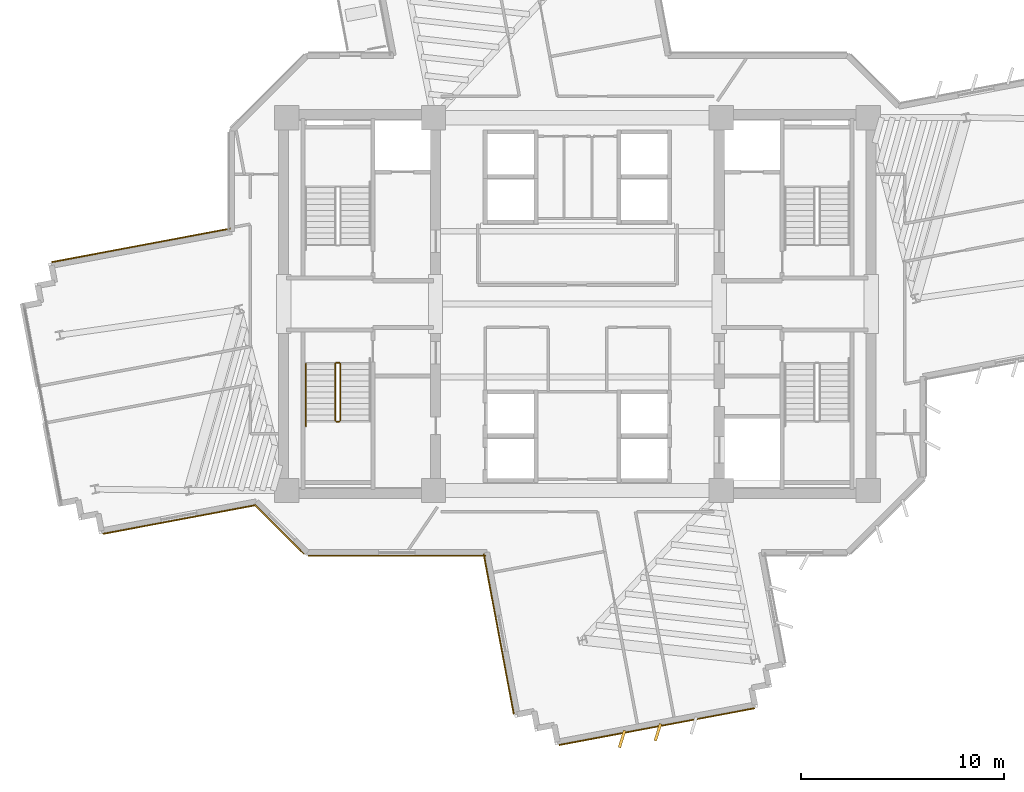
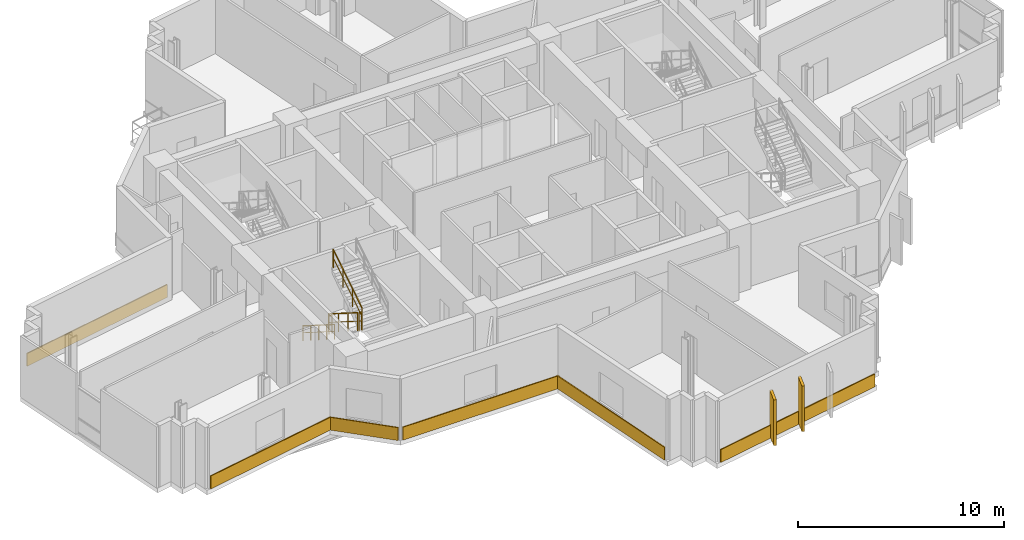
# One storey, part 13 of 16: 8 coverings, 5 railings.
"""IFC4 building model written with IfcOpenShell, lengths in metres."""

import ifcopenshell
import ifcopenshell.guid

model = None  # the IFC model being written
_history = None  # IfcOwnerHistory: only IFC2X3 demands one
_inside = {}  # id of a spatial element -> (the spatial element, [elements in it])
_under = {}  # id of a project, library or spatial element -> (it, [spatial elements below it])
_declared = {}  # id of a project -> (the project, [libraries it declares])
_typed = {}  # id of a type object -> (the type object, [elements of that type])
_made_of = {}  # id of a material, layer set ... -> (it, [elements and type objects made of it])


def new_model(schema):
    """Start an empty IFC model of exactly this schema.

    Asked for "IFC4X3", IfcOpenShell would pick the latest addendum, in which some entities
    have other attributes; the version numbers below select the first issue.
    IFC2X3 requires an IfcOwnerHistory on every rooted entity: one is made here for all.
    """
    global model, _history
    if schema == "IFC4X3":
        model = ifcopenshell.file(schema_version=(4, 3, 0, 0))
    else:
        model = ifcopenshell.file(schema=schema)
    _inside.clear()
    _under.clear()
    _declared.clear()
    _typed.clear()
    _made_of.clear()
    _history = None
    if model.schema == "IFC2X3":
        org = make("IfcOrganization", Name="unknown")
        user = make(
            "IfcPersonAndOrganization",
            ThePerson=make("IfcPerson", FamilyName="unknown"),
            TheOrganization=org,
        )
        app = make(
            "IfcApplication",
            ApplicationDeveloper=org,
            Version="unknown",
            ApplicationFullName="unknown",
            ApplicationIdentifier="unknown",
        )
        _history = make(
            "IfcOwnerHistory",
            OwningUser=user,
            OwningApplication=app,
            ChangeAction="ADDED",
            CreationDate=0,
        )
    return model


def make(cls, **values):
    """One entity of the class cls with the attributes given. An attribute that is None is left unset."""
    return model.create_entity(
        cls, **{name: value for name, value in values.items() if value is not None}
    )


def rooted(cls, **values):
    """An entity with a GlobalId (a new one), such as an element, a storey or a relation."""
    return make(cls, GlobalId=ifcopenshell.guid.new(), OwnerHistory=_history, **values)


def si_unit(unit_type, name, prefix=None):
    """IfcSIUnit, for example si_unit("LENGTHUNIT", "METRE", prefix="MILLI")."""
    return make("IfcSIUnit", UnitType=unit_type, Prefix=prefix, Name=name)


def assignment(units):
    """IfcUnitAssignment: the units of a project."""
    return None if units is None else make("IfcUnitAssignment", Units=units)


def point(xyz):
    """IfcCartesianPoint."""
    return None if xyz is None else make("IfcCartesianPoint", Coordinates=xyz)


def direction(xyz):
    """IfcDirection."""
    return None if xyz is None else make("IfcDirection", DirectionRatios=xyz)


def frame(location, z_axis=None, x_axis=None):
    """IfcAxis2Placement3D, a coordinate frame: its origin and axes. An axis left out is left unset."""
    return make(
        "IfcAxis2Placement3D",
        Location=point(location),
        Axis=direction(z_axis),
        RefDirection=direction(x_axis),
    )


def frame_2d(location, x_axis=None):
    """IfcAxis2Placement2D, a coordinate frame in the plane: its origin and x axis."""
    return make(
        "IfcAxis2Placement2D", Location=point(location), RefDirection=direction(x_axis)
    )


def origin():
    """The frame at (0, 0, 0) with its axes left unset."""
    return frame((0.0, 0.0, 0.0))


def origin_2d():
    """The frame at (0, 0) in the plane with its x axis left unset."""
    return frame_2d((0.0, 0.0))


def place(relative_to, where):
    """IfcLocalPlacement: puts the frame where relative to a parent placement (None: the world)."""
    return make(
        "IfcLocalPlacement", PlacementRelTo=relative_to, RelativePlacement=where
    )


def context(
    kind, dimensions, precision=None, world=None, true_north=None, identifier=None
):
    """IfcGeometricRepresentationContext, for example the 3D "Model" context."""
    return make(
        "IfcGeometricRepresentationContext",
        ContextIdentifier=identifier,
        ContextType=kind,
        CoordinateSpaceDimension=dimensions,
        Precision=precision,
        WorldCoordinateSystem=world,
        TrueNorth=true_north,
    )


def subcontext(parent, identifier, kind, view, scale=None):
    """IfcGeometricRepresentationSubContext, for example "Body" below "Model"."""
    return make(
        "IfcGeometricRepresentationSubContext",
        ContextIdentifier=identifier,
        ContextType=kind,
        ParentContext=parent,
        TargetScale=scale,
        TargetView=view,
    )


def project(units=None, contexts=None):
    """IfcProject with its units and contexts."""
    return rooted(
        "IfcProject",
        Name="project",
        RepresentationContexts=contexts,
        UnitsInContext=assignment(units),
    )


def spatial(cls, under=None, at=None, **own):
    """A site, building, storey or space (cls), placed at a placement, below another one or the project."""
    s = rooted(cls, ObjectPlacement=at, **own)
    if under is not None:
        _under.setdefault(under.id(), (under, []))[1].append(s)
    return s


def profile(cls, at=None, kind="AREA", **sizes):
    """A parametric profile (cls). Its sizes go by their IFC names, for example OverallWidth=200.0."""
    return make(cls, ProfileType=kind, Position=at, **sizes)


def rectangle(**sizes):
    """IfcRectangleProfileDef."""
    return profile("IfcRectangleProfileDef", **sizes)


def extrude(swept, where, along, depth):
    """IfcExtrudedAreaSolid: the profile swept, set in the frame where, extruded along a direction by depth."""
    return make(
        "IfcExtrudedAreaSolid",
        SweptArea=swept,
        Position=where,
        ExtrudedDirection=direction(along),
        Depth=depth,
    )


def shape(context_of_items, identifier, shape_type, items):
    """IfcShapeRepresentation: the items that make up one representation, for example the "Body"."""
    return make(
        "IfcShapeRepresentation",
        ContextOfItems=context_of_items,
        RepresentationIdentifier=identifier,
        RepresentationType=shape_type,
        Items=items,
    )


def source(mapping_origin, context_of_items, identifier, shape_type, items):
    """IfcRepresentationMap: a shape defined once, which mapped items show again and again."""
    return make(
        "IfcRepresentationMap",
        MappingOrigin=mapping_origin,
        MappedRepresentation=shape(context_of_items, identifier, shape_type, items),
    )


def transform(
    local_origin,
    x_axis=None,
    y_axis=None,
    z_axis=None,
    scale=None,
    scale2=None,
    scale3=None,
    uniform=True,
):
    """IfcCartesianTransformationOperator3D, or its non-uniform kind. x_axis, y_axis, z_axis: its Axis1, 2, 3."""
    if uniform:
        return make(
            "IfcCartesianTransformationOperator3D",
            Axis1=direction(x_axis),
            Axis2=direction(y_axis),
            LocalOrigin=point(local_origin),
            Scale=scale,
            Axis3=direction(z_axis),
        )
    return make(
        "IfcCartesianTransformationOperator3DnonUniform",
        Axis1=direction(x_axis),
        Axis2=direction(y_axis),
        LocalOrigin=point(local_origin),
        Scale=scale,
        Axis3=direction(z_axis),
        Scale2=scale2,
        Scale3=scale3,
    )


def mapped(mapping_source, mapping_target):
    """IfcMappedItem: shows the shape of a source again, moved by a transform."""
    return make(
        "IfcMappedItem", MappingSource=mapping_source, MappingTarget=mapping_target
    )


def material(Name=None, Category=None):
    """IfcMaterial."""
    return make("IfcMaterial", Name=Name, Category=Category)


def layer(
    of_material, thickness, ventilated=None, Name=None, Category=None, Priority=None
):
    """IfcMaterialLayer: one layer of a wall or slab, of a material (None: an air gap)."""
    return make(
        "IfcMaterialLayer",
        Material=of_material,
        LayerThickness=thickness,
        IsVentilated=ventilated,
        Name=Name,
        Category=Category,
        Priority=Priority,
    )


def layer_set(layers, Name=None):
    """IfcMaterialLayerSet."""
    return make("IfcMaterialLayerSet", MaterialLayers=layers, LayerSetName=Name)


def made_of(thing, what):
    """Note that an element or type object is made of a material, layer set ...; save() writes the relation."""
    if what is not None:
        _made_of.setdefault(what.id(), (what, []))[1].append(thing)
    return thing


def type_object(cls, material=None, **own):
    """A type object (cls), such as IfcWallType, which elements share."""
    return made_of(rooted(cls, **own), material)


def element(
    cls,
    number,
    at=None,
    inside=None,
    cuts=None,
    type_object=None,
    material=None,
    context=None,
    identifier="Body",
    shape_type=None,
    held_by="IfcProductDefinitionShape",
    body=None,
    shapes=None,
    **own,
):
    """One element of the class cls, such as IfcWall. Its Tag is "e" and its number.

    at: its placement. inside: the storey or other place that contains it. cuts: it is an
    opening in that element (IfcRelVoidsElement). A single representation is given by context,
    identifier, shape_type and body (its items); several are given by shapes. held_by: the class
    of the entity that holds the representations. save() writes the other relations.
    """
    e = rooted(cls, Tag="e%d" % number, ObjectPlacement=at, **own)
    if body is not None:
        shapes = [shape(context, identifier, shape_type, body)]
    if shapes is not None:
        e.Representation = make(held_by, Representations=shapes)
    if inside is not None:
        _inside.setdefault(inside.id(), (inside, []))[1].append(e)
    if cuts is not None:
        rooted(
            "IfcRelVoidsElement", RelatingBuildingElement=cuts, RelatedOpeningElement=e
        )
    if type_object is not None:
        _typed.setdefault(type_object.id(), (type_object, []))[1].append(e)
    return made_of(e, material)


def aggregate(whole, parts):
    """IfcRelAggregates: a whole, such as a stair, and the parts it consists of."""
    return rooted("IfcRelAggregates", RelatingObject=whole, RelatedObjects=parts)


def save(model, path):
    """Write the relations noted so far, then the file.

    IfcRelAggregates (storeys below a building ...), IfcRelContainedInSpatialStructure (elements
    in a storey), IfcRelDefinesByType, IfcRelAssociatesMaterial and IfcRelDeclares: one each for
    every whole, place, type object, material and project.
    """
    for whole, parts in _under.values():
        aggregate(whole, parts)
    for where, things in _inside.values():
        rooted(
            "IfcRelContainedInSpatialStructure",
            RelatedElements=things,
            RelatingStructure=where,
        )
    for kind, things in _typed.values():
        rooted("IfcRelDefinesByType", RelatedObjects=things, RelatingType=kind)
    for what, things in _made_of.values():
        rooted("IfcRelAssociatesMaterial", RelatedObjects=things, RelatingMaterial=what)
    for by, libraries in _declared.values():
        rooted("IfcRelDeclares", RelatingContext=by, RelatedDefinitions=libraries)
    model.write(path)


model = new_model("IFC4")

# Units and contexts
model_context = context("Model", 3, precision=1e-05, world=origin(), true_north=direction((0.0, 1.0)))
body_context = subcontext(model_context, "Body", "Model", "MODEL_VIEW")
ifc_project = project(units=[si_unit("LENGTHUNIT", "METRE"), si_unit("AREAUNIT", "SQUARE_METRE"), si_unit("VOLUMEUNIT", "CUBIC_METRE"), si_unit("PLANEANGLEUNIT", "RADIAN"), si_unit("MASSUNIT", "GRAM", prefix="KILO")], contexts=[model_context])

# Site, building, storey
site_placement = place(None, origin())
site = spatial("IfcSite", under=ifc_project, at=site_placement, CompositionType="ELEMENT")
building_placement = place(site_placement, origin())
building = spatial("IfcBuilding", under=site, at=building_placement, Name="Zahravan Cultural Tower", CompositionType="ELEMENT")
storey_placement = place(building_placement, frame((0.0, 0.0, 151.199951171875)))
storey = spatial("IfcBuildingStorey", under=building, at=storey_placement, Name="L34", CompositionType="ELEMENT", Elevation=151.199951171875)

# Railings
ifc_material_1 = material(Name="Steel ASTM A572 Grade 50", Category="steel")
railing_type_1 = type_object("IfcRailingType", Name="RL-STAIR-GRD1150", PredefinedType="BALUSTRADE", material=ifc_material_1)
railing_1_placement = place(storey_placement, frame((24.050048828125, 24.050048828125, 0.17724609375)))
element("IfcRailing", 1, at=railing_1_placement, inside=storey, type_object=railing_type_1, Name="L34 ST-W2 stair guard 1", PredefinedType="BALUSTRADE", context=body_context, shape_type="SweptSolid", body=[
    extrude(rectangle(XDim=0.05, YDim=0.05, at=origin_2d()), frame((0.0, 0.0, 1.0751953125), z_axis=(0.0, -0.844908973607, 0.534910110503), x_axis=(1.0, 0.0, 0.0)), (0.0, 0.0, 1.0), 3.31396484375),
    extrude(rectangle(XDim=0.032, YDim=0.032, at=origin_2d()), frame((0.0, 0.0, 0.572021484375), z_axis=(0.0, -0.844908973607, 0.534910110503), x_axis=(1.0, 0.0, 0.0)), (0.0, 0.0, 1.0), 3.31396484375),
    extrude(rectangle(XDim=0.04, YDim=0.04, at=origin_2d()), origin(), (0.0, 0.0, 1.0), 1.10009765625),
    extrude(rectangle(XDim=0.04, YDim=0.04, at=origin_2d()), frame((0.0, -0.933349609375, 0.5908203125)), (0.0, 0.0, 1.0), 1.10009765625),
    extrude(rectangle(XDim=0.04, YDim=0.04, at=origin_2d()), frame((0.0, -1.86669921875, 1.181884765625)), (0.0, 0.0, 1.0), 1.10009765625),
    extrude(rectangle(XDim=0.04, YDim=0.04, at=origin_2d()), frame((0.0, -2.800048828125, 1.772705078125)), (0.0, 0.0, 1.0), 1.10009765625),
])
railing_2_placement = place(storey_placement, frame((24.10009765625, 21.199951171875, 1.949951171875)))
element("IfcRailing", 2, at=railing_2_placement, inside=storey, type_object=railing_type_1, Name="L34 ST-W2 stair guard 2", PredefinedType="BALUSTRADE", context=body_context, shape_type="SweptSolid", body=[
    extrude(rectangle(XDim=0.05, YDim=0.05, at=origin_2d()), frame((0.0, 0.0, 1.0751953125), z_axis=(1.0, 0.0, 0.0), x_axis=(0.0, 1.0, 0.0)), (0.0, 0.0, 1.0), 0.14990234375),
    extrude(rectangle(XDim=0.032, YDim=0.032, at=origin_2d()), frame((0.0, 0.0, 0.572021484375), z_axis=(1.0, 0.0, 0.0), x_axis=(0.0, 1.0, 0.0)), (0.0, 0.0, 1.0), 0.14990234375),
    extrude(rectangle(XDim=0.04, YDim=0.04, at=origin_2d()), origin(), (0.0, 0.0, 1.0), 1.10009765625),
    extrude(rectangle(XDim=0.04, YDim=0.04, at=origin_2d()), frame((0.14990234375, 0.0, 0.0)), (0.0, 0.0, 1.0), 1.10009765625),
])
railing_3_placement = place(storey_placement, frame((24.300048828125, 21.25, 2.12744140625)))
element("IfcRailing", 3, at=railing_3_placement, inside=storey, type_object=railing_type_1, Name="L34 ST-W2 stair guard 3", PredefinedType="BALUSTRADE", context=body_context, shape_type="SweptSolid", body=[
    extrude(rectangle(XDim=0.05, YDim=0.05, at=origin_2d()), frame((0.0, 0.0, 1.0751953125), z_axis=(0.0, 0.844908973607, 0.534910110503), x_axis=(-1.0, 0.0, 0.0)), (0.0, 0.0, 1.0), 3.31396484375),
    extrude(rectangle(XDim=0.032, YDim=0.032, at=origin_2d()), frame((0.0, 0.0, 0.572021484375), z_axis=(0.0, 0.844908973607, 0.534910110503), x_axis=(-1.0, 0.0, 0.0)), (0.0, 0.0, 1.0), 3.31396484375),
    extrude(rectangle(XDim=0.04, YDim=0.04, at=origin_2d()), origin(), (0.0, 0.0, 1.0), 1.10009765625),
    extrude(rectangle(XDim=0.04, YDim=0.04, at=origin_2d()), frame((0.0, 0.933349609375, 0.5908203125)), (0.0, 0.0, 1.0), 1.10009765625),
    extrude(rectangle(XDim=0.04, YDim=0.04, at=origin_2d()), frame((0.0, 1.86669921875, 1.181884765625)), (0.0, 0.0, 1.0), 1.10009765625),
    extrude(rectangle(XDim=0.04, YDim=0.04, at=origin_2d()), frame((0.0, 2.800048828125, 1.772705078125)), (0.0, 0.0, 1.0), 1.10009765625),
])
railing_4_placement = place(storey_placement, frame((24.10009765625, 24.10009765625, 0.0)))
element("IfcRailing", 4, at=railing_4_placement, inside=storey, type_object=railing_type_1, Name="L34 ST-W2 stair guard 4", PredefinedType="BALUSTRADE", context=body_context, shape_type="SweptSolid", body=[
    extrude(rectangle(XDim=0.05, YDim=0.05, at=origin_2d()), frame((0.0, 0.0, 1.0751953125), z_axis=(1.0, 0.0, 0.0), x_axis=(0.0, 1.0, 0.0)), (0.0, 0.0, 1.0), 0.14990234375),
    extrude(rectangle(XDim=0.032, YDim=0.032, at=origin_2d()), frame((0.0, 0.0, 0.572021484375), z_axis=(1.0, 0.0, 0.0), x_axis=(0.0, 1.0, 0.0)), (0.0, 0.0, 1.0), 0.14990234375),
    extrude(rectangle(XDim=0.04, YDim=0.04, at=origin_2d()), origin(), (0.0, 0.0, 1.0), 1.10009765625),
    extrude(rectangle(XDim=0.04, YDim=0.04, at=origin_2d()), frame((0.14990234375, 0.0, 0.0)), (0.0, 0.0, 1.0), 1.10009765625),
])
railing_type_2 = type_object("IfcRailingType", Name="RL-STAIR-HR900", PredefinedType="HANDRAIL", material=ifc_material_1)
railing_5_placement = place(storey_placement, frame((22.60009765625, 24.050048828125, 0.17724609375)))
element("IfcRailing", 5, at=railing_5_placement, inside=storey, type_object=railing_type_2, Name="L34 ST-W2 stair handrail 1", PredefinedType="HANDRAIL", context=body_context, shape_type="SweptSolid", body=[
    extrude(rectangle(XDim=0.05, YDim=0.05, at=origin_2d()), frame((0.0, 0.0, 0.875), z_axis=(0.0, -0.844883648757, 0.534950109882), x_axis=(1.0, 0.0, 0.0)), (0.0, 0.0, 1.0), 3.6455078125),
    extrude(rectangle(XDim=0.032, YDim=0.032, at=origin_2d()), frame((0.0, 0.0, 0.468017578125), z_axis=(0.0, -0.844883648757, 0.534950109882), x_axis=(1.0, 0.0, 0.0)), (0.0, 0.0, 1.0), 3.6455078125),
    extrude(rectangle(XDim=0.04, YDim=0.04, at=origin_2d()), origin(), (0.0, 0.0, 1.0), 0.89990234375),
    extrude(rectangle(XDim=0.04, YDim=0.04, at=origin_2d()), frame((0.0, -0.77001953125, 0.487548828125)), (0.0, 0.0, 1.0), 0.89990234375),
    extrude(rectangle(XDim=0.04, YDim=0.04, at=origin_2d()), frame((0.0, -1.5400390625, 0.97509765625)), (0.0, 0.0, 1.0), 0.89990234375),
    extrude(rectangle(XDim=0.04, YDim=0.04, at=origin_2d()), frame((0.0, -2.31005859375, 1.462646484375)), (0.0, 0.0, 1.0), 0.89990234375),
    extrude(rectangle(XDim=0.04, YDim=0.04, at=origin_2d()), frame((0.0, -3.080078125, 1.9501953125)), (0.0, 0.0, 1.0), 0.89990234375),
])

# Coverings
ifc_material_2 = material(Name="Terracotta ceramic cladding", Category="masonry")
ifc_layer = layer(ifc_material_2, 0.06005859375)
ifc_layer_set = layer_set([ifc_layer], Name="Terracotta ceramic cladding")
covering_type = type_object("IfcCoveringType", Name="COV-CLAD-TC60", PredefinedType="CLADDING", material=ifc_layer_set)
shared_shape_1 = source(origin(), body_context, "Body", "SweptSolid", [
    extrude(rectangle(XDim=9.820068359375, YDim=0.06005859375, at=origin_2d()), origin(), (0.0, 0.0, 1.0), 0.760009765625),
])
covering_1_placement = place(storey_placement, frame((39.9189453125, 6.139892578125, 0.02001953125), z_axis=(0.0, 0.0, 1.0), x_axis=(-0.982806687355, -0.184637524056, 0.0)))
element("IfcCovering", 6, at=covering_1_placement, inside=storey, type_object=covering_type, Name="L34 Terracotta Spandrel Cladding 19", PredefinedType="CLADDING", context=body_context, shape_type="MappedRepresentation", body=[
    mapped(shared_shape_1, transform((0.0, 0.0, 0.0), x_axis=(1.0, 0.0, 0.0), y_axis=(0.0, 1.0, 0.0), z_axis=(0.0, 0.0, 1.0), scale=1.0)),
])
shared_shape_2 = source(origin(), body_context, "Body", "SweptSolid", [
    extrude(rectangle(XDim=0.8798828125, YDim=0.139892578125, at=origin_2d()), origin(), (0.0, 0.0, 1.0), 2.699951171875),
])
for number, where, z_axis, x_axis, name in (
    (7, (39.9716796875, 5.859619140625, 0.05029296875), (0.0, 0.0, 1.0), (-0.298374534012, -0.954448865814, 0.0), "L34 Herringbone Terracotta Fin 15"),
    (8, (38.202392578125, 5.52734375, 0.05029296875), (0.0, 0.0, 1.0), (-0.298374534012, -0.954448865814, 0.0), "L34 Herringbone Terracotta Fin 16"),
):
    element("IfcCovering", number, at=place(storey_placement, frame(where, z_axis=z_axis, x_axis=x_axis)), inside=storey, type_object=covering_type, Name=name, PredefinedType="CLADDING", context=body_context, shape_type="MappedRepresentation", body=[
        mapped(shared_shape_2, transform((0.0, 0.0, 0.0), x_axis=(1.0, 0.0, 0.0), y_axis=(0.0, 1.0, 0.0), z_axis=(0.0, 0.0, 1.0), scale=1.0)),
    ])
shared_shape_3 = source(origin(), body_context, "Body", "SweptSolid", [
    extrude(rectangle(XDim=7.683349609375, YDim=0.06005859375, at=origin_2d()), origin(), (0.0, 0.0, 1.0), 0.760009765625),
])
covering_2_placement = place(storey_placement, frame((16.357666015625, 16.365478515625, 0.02001953125), z_axis=(0.0, 0.0, 1.0), x_axis=(-0.982806687355, -0.184637524056, 0.0)))
element("IfcCovering", 9, at=covering_2_placement, inside=storey, type_object=covering_type, Name="L34 Terracotta Spandrel Cladding 27", PredefinedType="CLADDING", context=body_context, shape_type="MappedRepresentation", body=[
    mapped(shared_shape_3, transform((0.0, 0.0, 0.0), x_axis=(1.0, 0.0, 0.0), y_axis=(0.0, 1.0, 0.0), z_axis=(0.0, 0.0, 1.0), scale=1.0)),
])
shared_shape_4 = source(origin(), body_context, "Body", "SweptSolid", [
    extrude(rectangle(XDim=8.952880859375, YDim=0.06005859375, at=origin_2d()), origin(), (0.0, 0.0, 1.0), 0.760009765625),
])
covering_3_placement = place(storey_placement, frame((14.4609375, 29.89794921875, 0.02001953125), z_axis=(0.0, 0.0, 1.0), x_axis=(0.982806687355, 0.184637524056, 0.0)))
element("IfcCovering", 10, at=covering_3_placement, inside=storey, type_object=covering_type, Name="L34 Terracotta Spandrel Cladding 36", PredefinedType="CLADDING", context=body_context, shape_type="MappedRepresentation", body=[
    mapped(shared_shape_4, transform((0.0, 0.0, 0.0), x_axis=(1.0, 0.0, 0.0), y_axis=(0.0, 1.0, 0.0), z_axis=(0.0, 0.0, 1.0), scale=1.0)),
])
shared_shape_5 = source(origin(), body_context, "Body", "SweptSolid", [
    extrude(rectangle(XDim=8.03662109375, YDim=0.06005859375, at=origin_2d()), origin(), (0.0, 0.0, 1.0), 0.760009765625),
])
covering_4_placement = place(storey_placement, frame((32.11572265625, 10.711181640625, 0.02001953125), z_axis=(0.0, 0.0, 1.0), x_axis=(-0.184637524056, 0.982806687355, 0.0)))
element("IfcCovering", 11, at=covering_4_placement, inside=storey, type_object=covering_type, Name="L34 Terracotta Spandrel Cladding 24", PredefinedType="CLADDING", context=body_context, shape_type="MappedRepresentation", body=[
    mapped(shared_shape_5, transform((0.0, 0.0, 0.0), x_axis=(1.0, 0.0, 0.0), y_axis=(0.0, 1.0, 0.0), z_axis=(0.0, 0.0, 1.0), scale=1.0)),
])
shared_shape_6 = source(origin(), body_context, "Body", "SweptSolid", [
    extrude(rectangle(XDim=8.768798828125, YDim=0.06005859375, at=origin_2d()), origin(), (0.0, 0.0, 1.0), 0.760009765625),
])
covering_5_placement = place(storey_placement, frame((27.09228515625, 14.574951171875, 0.02001953125), z_axis=(0.0, 0.0, 1.0), x_axis=(-1.0, 0.0, 0.0)))
element("IfcCovering", 12, at=covering_5_placement, inside=storey, type_object=covering_type, Name="L34 Terracotta Spandrel Cladding 25", PredefinedType="CLADDING", context=body_context, shape_type="MappedRepresentation", body=[
    mapped(shared_shape_6, transform((0.0, 0.0, 0.0), x_axis=(1.0, 0.0, 0.0), y_axis=(0.0, 1.0, 0.0), z_axis=(0.0, 0.0, 1.0), scale=1.0)),
])
shared_shape_7 = source(origin(), body_context, "Body", "SweptSolid", [
    extrude(rectangle(XDim=3.444091796875, YDim=0.06005859375, at=origin_2d()), origin(), (0.0, 0.0, 1.0), 0.760009765625),
])
covering_6_placement = place(storey_placement, frame((21.288330078125, 15.87646484375, 0.02001953125), z_axis=(0.0, 0.0, 1.0), x_axis=(-0.707106781187, 0.707106781187, 0.0)))
element("IfcCovering", 13, at=covering_6_placement, inside=storey, type_object=covering_type, Name="L34 Terracotta Spandrel Cladding 26", PredefinedType="CLADDING", context=body_context, shape_type="MappedRepresentation", body=[
    mapped(shared_shape_7, transform((0.0, 0.0, 0.0), x_axis=(1.0, 0.0, 0.0), y_axis=(0.0, 1.0, 0.0), z_axis=(0.0, 0.0, 1.0), scale=1.0)),
])

save(model, "model.ifc")
